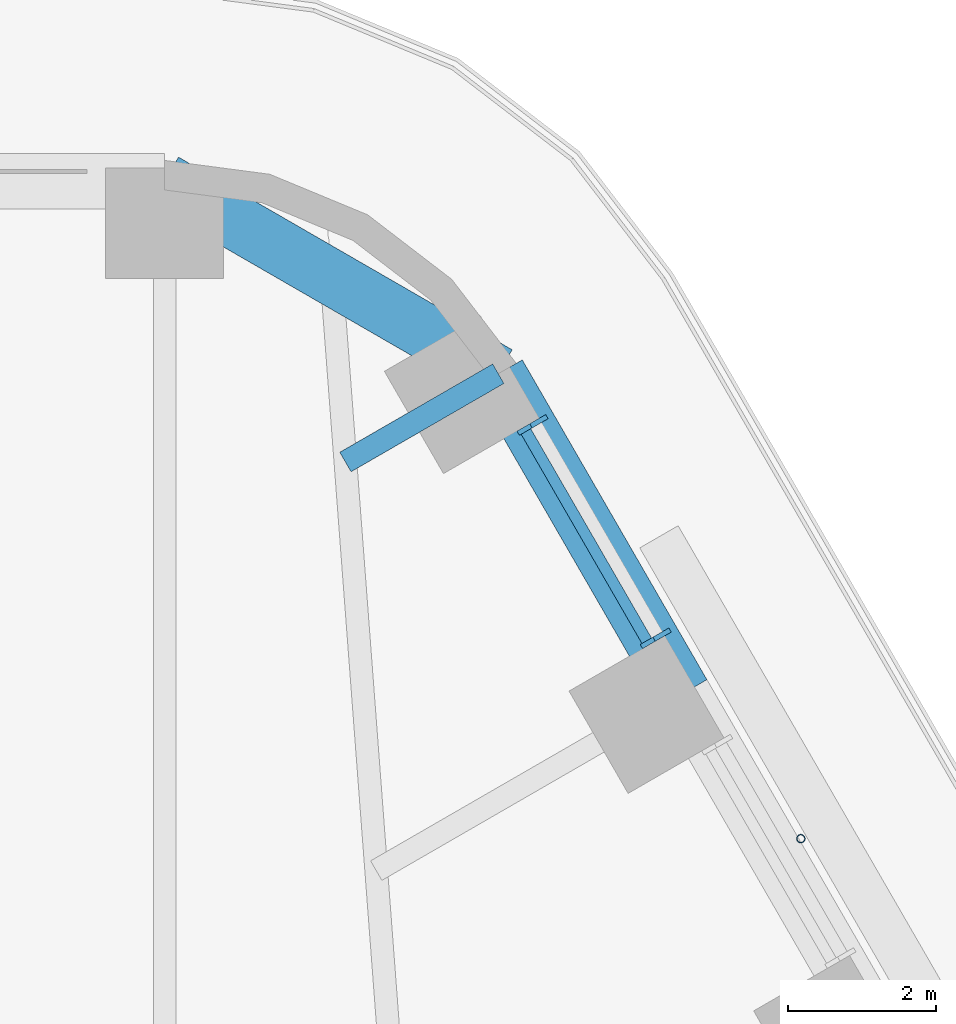
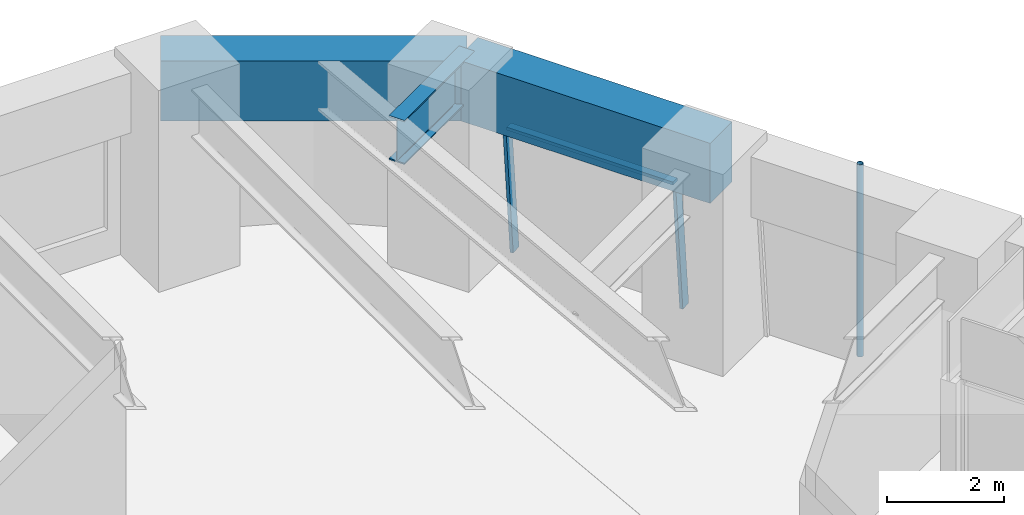
# One storey, part 13 of 24: 4 members, 3 beams, 1 element without a shape of its own.
"""IFC4 building model written with IfcOpenShell, lengths in metres."""

from ifc_helpers import new_model, si_unit, direction, frame, origin, origin_2d, place, context, subcontext, project, spatial, rectangle, hollow_circle, i_section, extrude, material, material_profile, profile_set, type_object, element, aggregate, save


model = new_model("IFC4")

# Units and contexts
model_context = context("Model", 3, precision=1e-05, world=origin(), true_north=direction((0.0, 1.0)))
body_context = subcontext(model_context, "Body", "Model", "MODEL_VIEW")
ifc_project = project(units=[si_unit("LENGTHUNIT", "METRE"), si_unit("AREAUNIT", "SQUARE_METRE"), si_unit("VOLUMEUNIT", "CUBIC_METRE"), si_unit("PLANEANGLEUNIT", "RADIAN"), si_unit("MASSUNIT", "GRAM", prefix="KILO")], contexts=[model_context])

# Site, building, storey
site_placement = place(None, origin())
site = spatial("IfcSite", under=ifc_project, at=site_placement, CompositionType="ELEMENT")
building_placement = place(site_placement, origin())
building = spatial("IfcBuilding", under=site, at=building_placement, Name="Tarfa Lantern Tower", CompositionType="ELEMENT")
storey_placement = place(building_placement, frame((0.0, 0.0, 144.699951171875)))
storey = spatial("IfcBuildingStorey", under=building, at=storey_placement, Name="L32", CompositionType="ELEMENT", Elevation=144.699951171875)

# Curtain wall, members
ifc_material_1 = material(Name="Aluminium framed curtain wall", Category="aluminium")
curtain_wall_type = type_object("IfcCurtainWallType", Name="CW2 CANTED GLAZING MID ZONE 2750", PredefinedType="USERDEFINED", material=ifc_material_1)
curtain_wall_placement = place(storey_placement, origin())
curtain_wall = element("IfcCurtainWall", 1, at=curtain_wall_placement, inside=storey, type_object=curtain_wall_type, Name="CW2 NEB L32", ObjectType="CURTAIN WALL", PredefinedType="USERDEFINED")
ifc_material_2 = material(Name="Aluminium mullion", Category="aluminium")
ifc_material_profile_1 = material_profile(ifc_material_2, rectangle(XDim=0.06494140625, YDim=0.199951171875, at=origin_2d()), Name="AL MULLION 65x200")
ifc_profile_set_1 = profile_set([ifc_material_profile_1], Name="Aluminium mullion")
member_type_1 = type_object("IfcMemberType", Name="CWM1 MULLION 65x200", PredefinedType="MULLION", material=ifc_profile_set_1)
member_1_placement = place(storey_placement, frame((21.773193359375, 25.087646484375, 0.0), z_axis=(-0.078422950161, -0.045267813396, 0.995891894715), x_axis=(0.499919672301, -0.866071776036, 0.0)))
member_1 = element("IfcMember", 2, at=member_1_placement, type_object=member_type_1, Name="CW2 mullion 1", PredefinedType="MULLION", context=body_context, shape_type="SweptSolid", body=[
    extrude(rectangle(XDim=0.06494140625, YDim=0.199951171875, at=origin_2d()), origin(), (0.0, 0.0, 1.0), 2.76123046875),
])
member_2_placement = place(storey_placement, frame((20.10400390625, 27.97900390625, 0.0), z_axis=(-0.078422950161, -0.045267813396, 0.995891894715), x_axis=(0.499919672301, -0.866071776036, 0.0)))
member_2 = element("IfcMember", 3, at=member_2_placement, type_object=member_type_1, Name="CW2 mullion 2", PredefinedType="MULLION", context=body_context, shape_type="SweptSolid", body=[
    extrude(rectangle(XDim=0.06494140625, YDim=0.199951171875, at=origin_2d()), origin(), (0.0, 0.0, 1.0), 2.76123046875),
])
ifc_material_3 = material(Name="Aluminium transom", Category="aluminium")
ifc_material_profile_2 = material_profile(ifc_material_3, rectangle(XDim=0.14990234375, YDim=0.06494140625, at=origin_2d()), Name="AL TRANSOM 150x65")
ifc_profile_set_2 = profile_set([ifc_material_profile_2], Name="Aluminium transom")
member_type_2 = type_object("IfcMemberType", Name="CWT1 TRANSOM 150x65", PredefinedType="USERDEFINED", material=ifc_profile_set_2)
member_3_placement = place(storey_placement, frame((21.54296875, 24.9921875, 2.717529296875), z_axis=(-0.499957005835, 0.866050225054, 0.0), x_axis=(-0.866050225054, -0.499957005835, 0.0)))
member_3 = element("IfcMember", 4, at=member_3_placement, type_object=member_type_2, Name="CW2 transom 1.2", ObjectType="TRANSOM", PredefinedType="USERDEFINED", context=body_context, shape_type="SweptSolid", body=[
    extrude(rectangle(XDim=0.14990234375, YDim=0.06494140625, at=origin_2d()), origin(), (0.0, 0.0, 1.0), 3.273681640625),
])
aggregate(curtain_wall, [member_1, member_2, member_3])

# Beams
ifc_material_4 = material(Name="Concrete C80/95", Category="concrete")
ifc_material_profile_3 = material_profile(ifc_material_4, rectangle(XDim=0.75, YDim=1.25, at=origin_2d()), Name="RC 750x1250")
ifc_profile_set_3 = profile_set([ifc_material_profile_3], Name="Concrete C80/95")
beam_type_1 = type_object("IfcBeamType", Name="EB2 RC 750x1250", PredefinedType="SPANDREL", material=ifc_profile_set_3)
beam_1_placement = place(storey_placement, frame((22.03369140625, 24.276611328125, 3.375), z_axis=(-0.500001197378, 0.866024712477, 0.0), x_axis=(-0.866024712477, -0.500001197378, 0.0)))
element("IfcBeam", 5, at=beam_1_placement, inside=storey, type_object=beam_type_1, Name="Edge beam NE5", PredefinedType="SPANDREL", context=body_context, shape_type="SweptSolid", body=[
    extrude(rectangle(XDim=0.75, YDim=1.25, at=origin_2d()), origin(), (0.0, 0.0, 1.0), 5.00390625),
])
beam_2_placement = place(storey_placement, frame((19.53173828125, 28.610107421875, 3.375), z_axis=(-0.86604150238, 0.499972115377, 0.0), x_axis=(-0.499972115377, -0.86604150238, 0.0)))
element("IfcBeam", 6, at=beam_2_placement, inside=storey, type_object=beam_type_1, Name="Edge beam NE6", PredefinedType="SPANDREL", context=body_context, shape_type="SweptSolid", body=[
    extrude(rectangle(XDim=0.75, YDim=1.25, at=origin_2d()), origin(), (0.0, 0.0, 1.0), 5.219970703125),
])

# Member
ifc_material_5 = material(Name="Steel S355", Category="steel")
ifc_material_profile_4 = material_profile(ifc_material_5, hollow_circle(Radius=0.05712890625, WallThickness=0.00634765625, at=origin_2d()), Name="CHS114.3x6.3")
ifc_profile_set_4 = profile_set([ifc_material_profile_4], Name="Steel S355")
member_type_3 = type_object("IfcMemberType", Name="TR1 GREEN WALL TRELLIS CHS114.3x6.3", PredefinedType="USERDEFINED", material=ifc_profile_set_4)
member_4_placement = place(storey_placement, frame((23.630859375, 22.31005859375, 0.0), z_axis=(0.0, 0.0, 1.0), x_axis=(1.0, 0.0, 0.0)))
element("IfcMember", 7, at=member_4_placement, inside=storey, type_object=member_type_3, Name="Trellis post NE 2", ObjectType="TRELLIS", PredefinedType="USERDEFINED", context=body_context, shape_type="SweptSolid", body=[
    extrude(hollow_circle(Radius=0.05712890625, WallThickness=0.00634765625, at=origin_2d()), origin(), (0.0, 0.0, 1.0), 4.0),
])

# Beam
ifc_material_6 = material(Name="Steel S460M", Category="steel")
ifc_material_profile_5 = material_profile(ifc_material_6, i_section(OverallWidth=0.305419921875, OverallDepth=0.91845703125, WebThickness=0.017333984375, FlangeThickness=0.02783203125, FilletRadius=0.01904296875, at=origin_2d()), Name="UB914x305x253")
ifc_profile_set_5 = profile_set([ifc_material_profile_5], Name="Steel S460M")
beam_type_2 = type_object("IfcBeamType", Name="UB914x305x253", PredefinedType="BEAM", material=ifc_profile_set_5)
beam_3_placement = place(storey_placement, frame((19.53173828125, 28.610107421875, 3.540771484375), z_axis=(-0.865998640954, -0.500046351717, 0.0), x_axis=(0.500046351717, -0.865998640954, 0.0)))
element("IfcBeam", 8, at=beam_3_placement, inside=storey, type_object=beam_type_2, Name="Floor beam NE6", PredefinedType="BEAM", context=body_context, shape_type="SweptSolid", body=[
    extrude(i_section(OverallWidth=0.305419921875, OverallDepth=0.91845703125, WebThickness=0.017333984375, FlangeThickness=0.02783203125, FilletRadius=0.01904296875, at=origin_2d()), origin(), (0.0, 0.0, 1.0), 2.392333984375),
])

save(model, "model.ifc")
